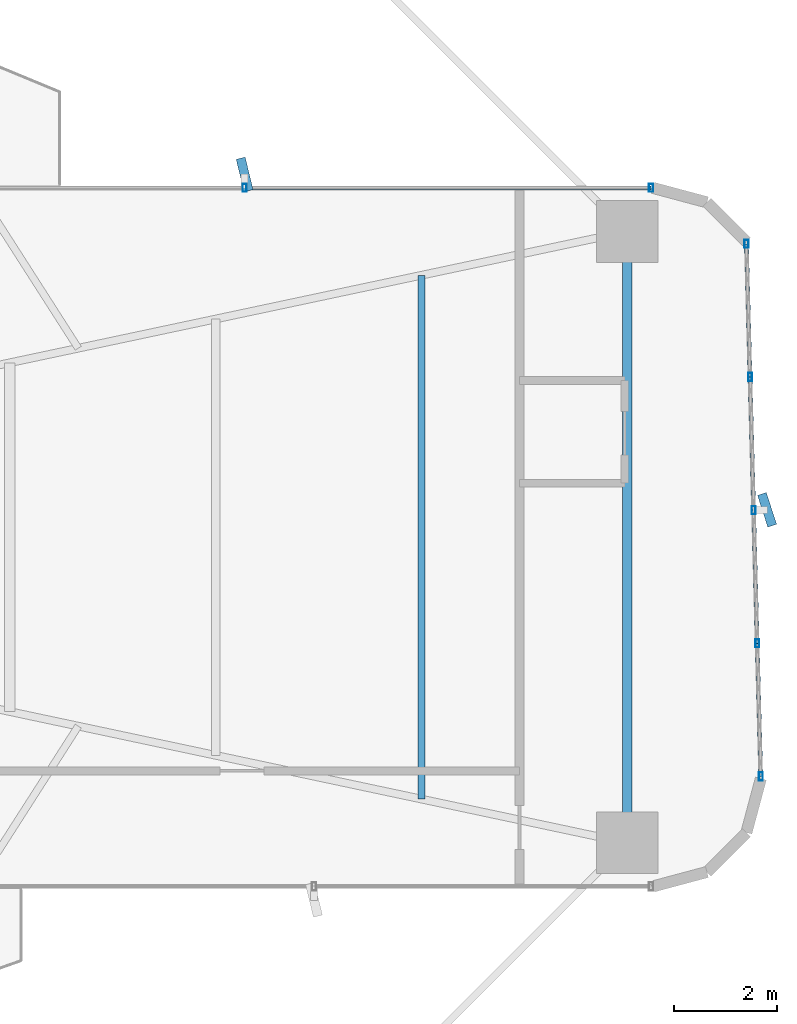
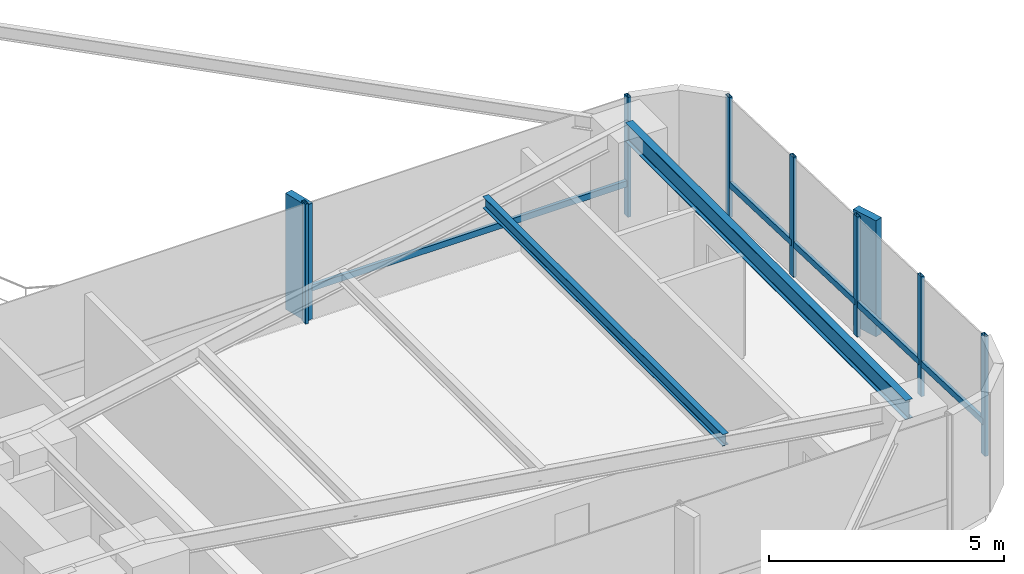
# One storey, part 16 of 25: 14 members, 2 beams, 2 elements without a shape of their own.
"""IFC4 building model written with IfcOpenShell, lengths in metres."""

from ifc_helpers import new_model, si_unit, direction, frame, origin, origin_2d, place, context, subcontext, project, spatial, rectangle, hollow_rectangle, i_section, extrude, source, transform, mapped, material, material_profile, profile_set, type_object, element, aggregate, save


model = new_model("IFC4")

# Units and contexts
model_context = context("Model", 3, precision=1e-05, world=origin(), true_north=direction((0.0, 1.0)))
body_context = subcontext(model_context, "Body", "Model", "MODEL_VIEW")
ifc_project = project(units=[si_unit("LENGTHUNIT", "METRE"), si_unit("AREAUNIT", "SQUARE_METRE"), si_unit("VOLUMEUNIT", "CUBIC_METRE"), si_unit("PLANEANGLEUNIT", "RADIAN"), si_unit("MASSUNIT", "GRAM", prefix="KILO")], contexts=[model_context])

# Site, building, storey
site_placement = place(None, origin())
site = spatial("IfcSite", under=ifc_project, at=site_placement, CompositionType="ELEMENT")
building_placement = place(site_placement, origin())
building = spatial("IfcBuilding", under=site, at=building_placement, Name="Sahyath Konkavel Grand Hotel", CompositionType="ELEMENT")
storey_placement = place(building_placement, frame((0.0, 0.0, 39.85009765625)))
storey = spatial("IfcBuildingStorey", under=building, at=storey_placement, Name="L10", CompositionType="ELEMENT", Elevation=39.85009765625)

# Beams
ifc_material_1 = material(Name="Steel E350", Category="steel")
ifc_material_profile_1 = material_profile(ifc_material_1, i_section(OverallWidth=0.179931640625, OverallDepth=0.5, WebThickness=0.01025390625, FlangeThickness=0.01708984375, FilletRadius=0.01708984375, at=origin_2d()), Name="ISMB 500")
ifc_profile_set_1 = profile_set([ifc_material_profile_1], Name="Steel E350")
beam_type_1 = type_object("IfcBeamType", Name="BM-ISMB500", PredefinedType="BEAM", material=ifc_profile_set_1)
shared_shape_1 = source(origin(), body_context, "Body", "SweptSolid", [
    extrude(i_section(OverallWidth=0.179931640625, OverallDepth=0.5, WebThickness=0.01025390625, FlangeThickness=0.01708984375, FilletRadius=0.01708984375, at=origin_2d()), origin(), (0.0, 0.0, 1.0), 11.89990234375),
])
beam_1_placement = place(storey_placement, frame((22.199951171875, -5.949951171875, 2.85986328125), z_axis=(0.0, 1.0, 0.0), x_axis=(-1.0, 0.0, 0.0)))
element("IfcBeam", 1, at=beam_1_placement, inside=storey, type_object=beam_type_1, Name="L10 Wing Tip Edge Beam E", PredefinedType="BEAM", context=body_context, shape_type="MappedRepresentation", body=[
    mapped(shared_shape_1, transform((0.0, 0.0, 0.0), scale=1.0)),
])
ifc_material_profile_2 = material_profile(ifc_material_1, i_section(OverallWidth=0.139892578125, OverallDepth=0.300048828125, WebThickness=0.0078125, FlangeThickness=0.01318359375, FilletRadius=0.013916015625, at=origin_2d()), Name="ISMB 300")
ifc_profile_set_2 = profile_set([ifc_material_profile_2], Name="Steel E350")
beam_type_2 = type_object("IfcBeamType", Name="BM-ISMB300", PredefinedType="BEAM", material=ifc_profile_set_2)
shared_shape_2 = source(origin(), body_context, "Body", "SweptSolid", [
    extrude(i_section(OverallWidth=0.139892578125, OverallDepth=0.300048828125, WebThickness=0.0078125, FlangeThickness=0.01318359375, FilletRadius=0.013916015625, at=origin_2d()), origin(), (0.0, 0.0, 1.0), 10.19580078125),
])
beam_2_placement = place(storey_placement, frame((18.19189453125, -5.097900390625, 2.9599609375), z_axis=(0.0, 1.0, 0.0), x_axis=(-1.0, 0.0, 0.0)))
element("IfcBeam", 2, at=beam_2_placement, inside=storey, type_object=beam_type_2, Name="L10 Secondary Floor Beam E-3", PredefinedType="BEAM", context=body_context, shape_type="MappedRepresentation", body=[
    mapped(shared_shape_2, transform((0.0, 0.0, 0.0), scale=1.0)),
])

# Curtain wall, members
ifc_material_2 = material(Name="Anodised Bronze Aluminium & Low-E Glazing", Category="aluminium")
curtain_wall_type = type_object("IfcCurtainWallType", Name="CW-ZONE1", PredefinedType="NOTDEFINED", material=ifc_material_2)
curtain_wall_1_placement = place(storey_placement, origin())
curtain_wall_1 = element("IfcCurtainWall", 3, at=curtain_wall_1_placement, inside=storey, type_object=curtain_wall_type, Name="L10 Unitised Curtain Wall F4", PredefinedType="NOTDEFINED")
ifc_material_3 = material(Name="Anodised Bronze Aluminium", Category="aluminium")
ifc_material_profile_3 = material_profile(ifc_material_3, hollow_rectangle(XDim=0.080078125, YDim=0.159912109375, WallThickness=0.006103515625, at=origin_2d()), Name="RHS 160x80x6")
ifc_profile_set_3 = profile_set([ifc_material_profile_3], Name="Anodised Bronze Aluminium")
member_type_1 = type_object("IfcMemberType", Name="CW-MUL-160", PredefinedType="MULLION", material=ifc_profile_set_3)
shared_shape_3 = source(origin(), body_context, "Body", "SweptSolid", [
    extrude(hollow_rectangle(XDim=0.080078125, YDim=0.159912109375, WallThickness=0.006103515625, at=origin_2d()), origin(), (0.0, 0.0, 1.0), 3.10986328125),
])
member_1_placement = place(storey_placement, frame((24.798828125, -4.659912109375, 0.0), z_axis=(0.0, 0.0, 1.0), x_axis=(1.0, 0.0, 0.0)))
member_1 = element("IfcMember", 4, at=member_1_placement, type_object=member_type_1, Name="L10 Curtain Wall Mullion F4-0", PredefinedType="MULLION", context=body_context, shape_type="MappedRepresentation", body=[
    mapped(shared_shape_3, transform((0.0, 0.0, 0.0), scale=1.0)),
])
member_2_placement = place(storey_placement, frame((24.72900390625, -2.0673828125, 0.0), z_axis=(0.0, 0.0, 1.0), x_axis=(1.0, 0.0, 0.0)))
member_2 = element("IfcMember", 5, at=member_2_placement, type_object=member_type_1, Name="L10 Curtain Wall Mullion F4-1", PredefinedType="MULLION", context=body_context, shape_type="MappedRepresentation", body=[
    mapped(shared_shape_3, transform((0.0, 0.0, 0.0), scale=1.0)),
])
member_3_placement = place(storey_placement, frame((24.6591796875, 0.52490234375, 0.0), z_axis=(0.0, 0.0, 1.0), x_axis=(1.0, 0.0, 0.0)))
member_3 = element("IfcMember", 6, at=member_3_placement, type_object=member_type_1, Name="L10 Curtain Wall Mullion F4-2", PredefinedType="MULLION", context=body_context, shape_type="MappedRepresentation", body=[
    mapped(shared_shape_3, transform((0.0, 0.0, 0.0), scale=1.0)),
])
member_4_placement = place(storey_placement, frame((24.589599609375, 3.117431640625, 0.0), z_axis=(0.0, 0.0, 1.0), x_axis=(1.0, 0.0, 0.0)))
member_4 = element("IfcMember", 7, at=member_4_placement, type_object=member_type_1, Name="L10 Curtain Wall Mullion F4-3", PredefinedType="MULLION", context=body_context, shape_type="MappedRepresentation", body=[
    mapped(shared_shape_3, transform((0.0, 0.0, 0.0), scale=1.0)),
])
member_5_placement = place(storey_placement, frame((24.519775390625, 5.7099609375, 0.0), z_axis=(0.0, 0.0, 1.0), x_axis=(1.0, 0.0, 0.0)))
member_5 = element("IfcMember", 8, at=member_5_placement, type_object=member_type_1, Name="L10 Curtain Wall Mullion F4-4", PredefinedType="MULLION", context=body_context, shape_type="MappedRepresentation", body=[
    mapped(shared_shape_3, transform((0.0, 0.0, 0.0), scale=1.0)),
])

curtain_wall_2_placement = place(storey_placement, origin())
curtain_wall_2 = element("IfcCurtainWall", 9, at=curtain_wall_2_placement, inside=storey, type_object=curtain_wall_type, Name="L10 Unitised Curtain Wall F7", PredefinedType="NOTDEFINED")
member_6_placement = place(storey_placement, frame((22.659912109375, 6.800048828125, 0.0), z_axis=(0.0, 0.0, 1.0), x_axis=(1.0, 0.0, 0.0)))
member_6 = element("IfcMember", 10, at=member_6_placement, type_object=member_type_1, Name="L10 Curtain Wall Mullion F7-0", PredefinedType="MULLION", context=body_context, shape_type="MappedRepresentation", body=[
    mapped(shared_shape_3, transform((0.0, 0.0, 0.0), scale=1.0)),
])
member_7_placement = place(storey_placement, frame((14.75, 6.800048828125, 0.0), z_axis=(0.0, 0.0, 1.0), x_axis=(1.0, 0.0, 0.0)))
member_7 = element("IfcMember", 11, at=member_7_placement, type_object=member_type_1, Name="L10 Curtain Wall Mullion F7-1", PredefinedType="MULLION", context=body_context, shape_type="MappedRepresentation", body=[
    mapped(shared_shape_3, transform((0.0, 0.0, 0.0), scale=1.0)),
])

# Member
ifc_material_4 = material(Name="Warm Buff Sandstone Cladding on Concrete C50/60", Category="masonry")
ifc_material_profile_4 = material_profile(ifc_material_4, rectangle(XDim=0.179931640625, YDim=0.64990234375, at=origin_2d()), Name="FIN 180x650")
ifc_profile_set_4 = profile_set([ifc_material_profile_4], Name="Warm Buff Sandstone Cladding on Concrete C50/60")
member_type_2 = type_object("IfcMemberType", Name="FIN-SANDSTONE-650", PredefinedType="MULLION", material=ifc_profile_set_4)
shared_shape_4 = source(origin(), body_context, "Body", "SweptSolid", [
    extrude(rectangle(XDim=0.179931640625, YDim=0.64990234375, at=origin_2d()), origin(), (0.0, 0.0, 1.0), 3.010009765625),
])
member_8_placement = place(storey_placement, frame((24.919189453125, 0.531982421875, 0.0498046875), z_axis=(0.0, 0.0, 1.0), x_axis=(0.951379596601, 0.308020881065, 0.0)))
member_8 = element("IfcMember", 12, at=member_8_placement, type_object=member_type_2, Name="L10 Sandstone Vertical Solar Fin FIN F4-2", PredefinedType="MULLION", context=body_context, shape_type="MappedRepresentation", body=[
    mapped(shared_shape_4, transform((0.0, 0.0, 0.0), scale=1.0)),
])

member_9_placement = place(storey_placement, frame((14.75, 7.06005859375, 0.0498046875), z_axis=(0.0, 0.0, 1.0), x_axis=(0.971590441254, 0.236668575149, 0.0)))
member_9 = element("IfcMember", 13, at=member_9_placement, type_object=member_type_2, Name="L10 Sandstone Vertical Solar Fin FIN F7-1", PredefinedType="MULLION", context=body_context, shape_type="MappedRepresentation", body=[
    mapped(shared_shape_4, transform((0.0, 0.0, 0.0), scale=1.0)),
])

ifc_material_profile_5 = material_profile(ifc_material_3, hollow_rectangle(XDim=0.080078125, YDim=0.159912109375, WallThickness=0.006103515625, at=origin_2d()), Name="RHS 160x80x6")
ifc_profile_set_5 = profile_set([ifc_material_profile_5], Name="Anodised Bronze Aluminium")
member_type_3 = type_object("IfcMemberType", Name="CW-TRN-160", PredefinedType="USERDEFINED", material=ifc_profile_set_5)
shared_shape_5 = source(origin(), body_context, "Body", "SweptSolid", [
    extrude(hollow_rectangle(XDim=0.080078125, YDim=0.159912109375, WallThickness=0.006103515625, at=origin_2d()), origin(), (0.0, 0.0, 1.0), 7.909912109375),
])
member_10_placement = place(storey_placement, frame((22.659912109375, 6.800048828125, 0.849853515625), z_axis=(-1.0, 0.0, 0.0), x_axis=(0.0, -1.0, 0.0)))
member_10 = element("IfcMember", 14, at=member_10_placement, type_object=member_type_3, Name="L10 Curtain Wall Transom F7-0-spandrel", ObjectType="TRANSOM", PredefinedType="USERDEFINED", context=body_context, shape_type="MappedRepresentation", body=[
    mapped(shared_shape_5, transform((0.0, 0.0, 0.0), scale=1.0)),
])

aggregate(curtain_wall_2, [member_6, member_7, member_9, member_10])

shared_shape_6 = source(origin(), body_context, "Body", "SweptSolid", [
    extrude(hollow_rectangle(XDim=0.080078125, YDim=0.159912109375, WallThickness=0.006103515625, at=origin_2d()), origin(), (0.0, 0.0, 1.0), 2.593505859375),
])
member_11_placement = place(storey_placement, frame((24.798828125, -4.659912109375, 0.849853515625), z_axis=(-0.026923093252, 0.999637507825, 0.0), x_axis=(-0.999637507825, -0.026923093252, 0.0)))
member_11 = element("IfcMember", 15, at=member_11_placement, type_object=member_type_3, Name="L10 Curtain Wall Transom F4-0-spandrel", ObjectType="TRANSOM", PredefinedType="USERDEFINED", context=body_context, shape_type="MappedRepresentation", body=[
    mapped(shared_shape_6, transform((0.0, 0.0, 0.0), scale=1.0)),
])

member_12_placement = place(storey_placement, frame((24.6591796875, 0.52490234375, 0.849853515625), z_axis=(-0.02682902444, 0.999640036937, 0.0), x_axis=(-0.999640036937, -0.02682902444, 0.0)))
member_12 = element("IfcMember", 16, at=member_12_placement, type_object=member_type_3, Name="L10 Curtain Wall Transom F4-2-spandrel", ObjectType="TRANSOM", PredefinedType="USERDEFINED", context=body_context, shape_type="MappedRepresentation", body=[
    mapped(shared_shape_6, transform((0.0, 0.0, 0.0), scale=1.0)),
])

member_13_placement = place(storey_placement, frame((24.589599609375, 3.117431640625, 0.849853515625), z_axis=(-0.026923093252, 0.999637507825, 0.0), x_axis=(-0.999637507825, -0.026923093252, 0.0)))
member_13 = element("IfcMember", 17, at=member_13_placement, type_object=member_type_3, Name="L10 Curtain Wall Transom F4-3-spandrel", ObjectType="TRANSOM", PredefinedType="USERDEFINED", context=body_context, shape_type="MappedRepresentation", body=[
    mapped(shared_shape_6, transform((0.0, 0.0, 0.0), scale=1.0)),
])

shared_shape_7 = source(origin(), body_context, "Body", "SweptSolid", [
    extrude(hollow_rectangle(XDim=0.080078125, YDim=0.159912109375, WallThickness=0.006103515625, at=origin_2d()), origin(), (0.0, 0.0, 1.0), 2.59326171875),
])
member_14_placement = place(storey_placement, frame((24.72900390625, -2.0673828125, 0.849853515625), z_axis=(-0.026925627022, 0.99963743958, 0.0), x_axis=(-0.99963743958, -0.026925627022, 0.0)))
member_14 = element("IfcMember", 18, at=member_14_placement, type_object=member_type_3, Name="L10 Curtain Wall Transom F4-1-spandrel", ObjectType="TRANSOM", PredefinedType="USERDEFINED", context=body_context, shape_type="MappedRepresentation", body=[
    mapped(shared_shape_7, transform((0.0, 0.0, 0.0), scale=1.0)),
])

aggregate(curtain_wall_1, [member_1, member_2, member_3, member_8, member_4, member_5, member_11, member_14, member_12, member_13])

save(model, "model.ifc")
